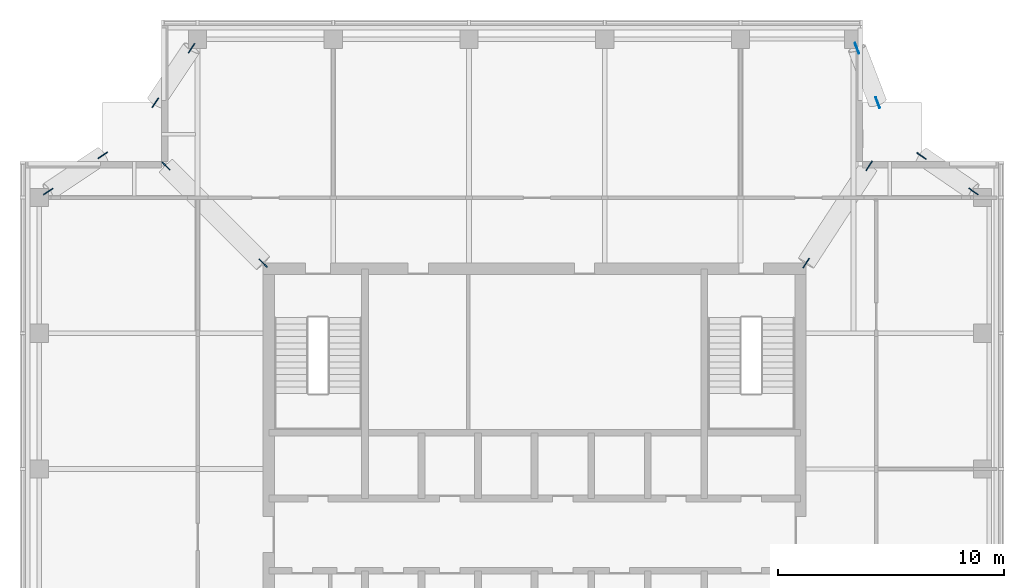
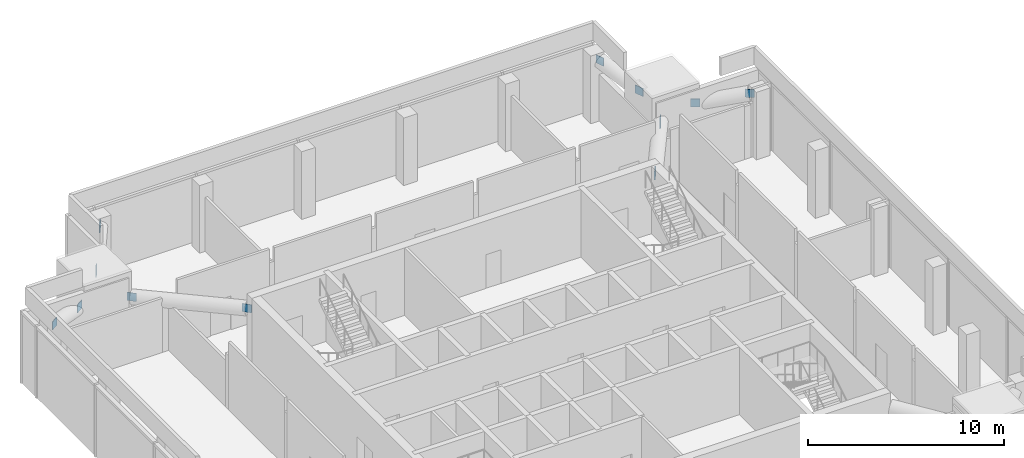
# One storey, part 9 of 11: 12 discrete accessories.
"""IFC4 building model written with IfcOpenShell, lengths in metres."""

import ifcopenshell
import ifcopenshell.guid

model = None  # the IFC model being written
_history = None  # IfcOwnerHistory: only IFC2X3 demands one
_inside = {}  # id of a spatial element -> (the spatial element, [elements in it])
_under = {}  # id of a project, library or spatial element -> (it, [spatial elements below it])
_declared = {}  # id of a project -> (the project, [libraries it declares])
_typed = {}  # id of a type object -> (the type object, [elements of that type])
_made_of = {}  # id of a material, layer set ... -> (it, [elements and type objects made of it])


def new_model(schema):
    """Start an empty IFC model of exactly this schema.

    Asked for "IFC4X3", IfcOpenShell would pick the latest addendum, in which some entities
    have other attributes; the version numbers below select the first issue.
    IFC2X3 requires an IfcOwnerHistory on every rooted entity: one is made here for all.
    """
    global model, _history
    if schema == "IFC4X3":
        model = ifcopenshell.file(schema_version=(4, 3, 0, 0))
    else:
        model = ifcopenshell.file(schema=schema)
    _inside.clear()
    _under.clear()
    _declared.clear()
    _typed.clear()
    _made_of.clear()
    _history = None
    if model.schema == "IFC2X3":
        org = make("IfcOrganization", Name="unknown")
        user = make(
            "IfcPersonAndOrganization",
            ThePerson=make("IfcPerson", FamilyName="unknown"),
            TheOrganization=org,
        )
        app = make(
            "IfcApplication",
            ApplicationDeveloper=org,
            Version="unknown",
            ApplicationFullName="unknown",
            ApplicationIdentifier="unknown",
        )
        _history = make(
            "IfcOwnerHistory",
            OwningUser=user,
            OwningApplication=app,
            ChangeAction="ADDED",
            CreationDate=0,
        )
    return model


def make(cls, **values):
    """One entity of the class cls with the attributes given. An attribute that is None is left unset."""
    return model.create_entity(
        cls, **{name: value for name, value in values.items() if value is not None}
    )


def rooted(cls, **values):
    """An entity with a GlobalId (a new one), such as an element, a storey or a relation."""
    return make(cls, GlobalId=ifcopenshell.guid.new(), OwnerHistory=_history, **values)


def si_unit(unit_type, name, prefix=None):
    """IfcSIUnit, for example si_unit("LENGTHUNIT", "METRE", prefix="MILLI")."""
    return make("IfcSIUnit", UnitType=unit_type, Prefix=prefix, Name=name)


def assignment(units):
    """IfcUnitAssignment: the units of a project."""
    return None if units is None else make("IfcUnitAssignment", Units=units)


def point(xyz):
    """IfcCartesianPoint."""
    return None if xyz is None else make("IfcCartesianPoint", Coordinates=xyz)


def direction(xyz):
    """IfcDirection."""
    return None if xyz is None else make("IfcDirection", DirectionRatios=xyz)


def frame(location, z_axis=None, x_axis=None):
    """IfcAxis2Placement3D, a coordinate frame: its origin and axes. An axis left out is left unset."""
    return make(
        "IfcAxis2Placement3D",
        Location=point(location),
        Axis=direction(z_axis),
        RefDirection=direction(x_axis),
    )


def frame_2d(location, x_axis=None):
    """IfcAxis2Placement2D, a coordinate frame in the plane: its origin and x axis."""
    return make(
        "IfcAxis2Placement2D", Location=point(location), RefDirection=direction(x_axis)
    )


def origin():
    """The frame at (0, 0, 0) with its axes left unset."""
    return frame((0.0, 0.0, 0.0))


def origin_2d():
    """The frame at (0, 0) in the plane with its x axis left unset."""
    return frame_2d((0.0, 0.0))


def place(relative_to, where):
    """IfcLocalPlacement: puts the frame where relative to a parent placement (None: the world)."""
    return make(
        "IfcLocalPlacement", PlacementRelTo=relative_to, RelativePlacement=where
    )


def context(
    kind, dimensions, precision=None, world=None, true_north=None, identifier=None
):
    """IfcGeometricRepresentationContext, for example the 3D "Model" context."""
    return make(
        "IfcGeometricRepresentationContext",
        ContextIdentifier=identifier,
        ContextType=kind,
        CoordinateSpaceDimension=dimensions,
        Precision=precision,
        WorldCoordinateSystem=world,
        TrueNorth=true_north,
    )


def subcontext(parent, identifier, kind, view, scale=None):
    """IfcGeometricRepresentationSubContext, for example "Body" below "Model"."""
    return make(
        "IfcGeometricRepresentationSubContext",
        ContextIdentifier=identifier,
        ContextType=kind,
        ParentContext=parent,
        TargetScale=scale,
        TargetView=view,
    )


def project(units=None, contexts=None):
    """IfcProject with its units and contexts."""
    return rooted(
        "IfcProject",
        Name="project",
        RepresentationContexts=contexts,
        UnitsInContext=assignment(units),
    )


def spatial(cls, under=None, at=None, **own):
    """A site, building, storey or space (cls), placed at a placement, below another one or the project."""
    s = rooted(cls, ObjectPlacement=at, **own)
    if under is not None:
        _under.setdefault(under.id(), (under, []))[1].append(s)
    return s


def profile(cls, at=None, kind="AREA", **sizes):
    """A parametric profile (cls). Its sizes go by their IFC names, for example OverallWidth=200.0."""
    return make(cls, ProfileType=kind, Position=at, **sizes)


def rectangle(**sizes):
    """IfcRectangleProfileDef."""
    return profile("IfcRectangleProfileDef", **sizes)


def extrude(swept, where, along, depth):
    """IfcExtrudedAreaSolid: the profile swept, set in the frame where, extruded along a direction by depth."""
    return make(
        "IfcExtrudedAreaSolid",
        SweptArea=swept,
        Position=where,
        ExtrudedDirection=direction(along),
        Depth=depth,
    )


def shape(context_of_items, identifier, shape_type, items):
    """IfcShapeRepresentation: the items that make up one representation, for example the "Body"."""
    return make(
        "IfcShapeRepresentation",
        ContextOfItems=context_of_items,
        RepresentationIdentifier=identifier,
        RepresentationType=shape_type,
        Items=items,
    )


def made_of(thing, what):
    """Note that an element or type object is made of a material, layer set ...; save() writes the relation."""
    if what is not None:
        _made_of.setdefault(what.id(), (what, []))[1].append(thing)
    return thing


def element(
    cls,
    number,
    at=None,
    inside=None,
    cuts=None,
    type_object=None,
    material=None,
    context=None,
    identifier="Body",
    shape_type=None,
    held_by="IfcProductDefinitionShape",
    body=None,
    shapes=None,
    **own,
):
    """One element of the class cls, such as IfcWall. Its Tag is "e" and its number.

    at: its placement. inside: the storey or other place that contains it. cuts: it is an
    opening in that element (IfcRelVoidsElement). A single representation is given by context,
    identifier, shape_type and body (its items); several are given by shapes. held_by: the class
    of the entity that holds the representations. save() writes the other relations.
    """
    e = rooted(cls, Tag="e%d" % number, ObjectPlacement=at, **own)
    if body is not None:
        shapes = [shape(context, identifier, shape_type, body)]
    if shapes is not None:
        e.Representation = make(held_by, Representations=shapes)
    if inside is not None:
        _inside.setdefault(inside.id(), (inside, []))[1].append(e)
    if cuts is not None:
        rooted(
            "IfcRelVoidsElement", RelatingBuildingElement=cuts, RelatedOpeningElement=e
        )
    if type_object is not None:
        _typed.setdefault(type_object.id(), (type_object, []))[1].append(e)
    return made_of(e, material)


def aggregate(whole, parts):
    """IfcRelAggregates: a whole, such as a stair, and the parts it consists of."""
    return rooted("IfcRelAggregates", RelatingObject=whole, RelatedObjects=parts)


def save(model, path):
    """Write the relations noted so far, then the file.

    IfcRelAggregates (storeys below a building ...), IfcRelContainedInSpatialStructure (elements
    in a storey), IfcRelDefinesByType, IfcRelAssociatesMaterial and IfcRelDeclares: one each for
    every whole, place, type object, material and project.
    """
    for whole, parts in _under.values():
        aggregate(whole, parts)
    for where, things in _inside.values():
        rooted(
            "IfcRelContainedInSpatialStructure",
            RelatedElements=things,
            RelatingStructure=where,
        )
    for kind, things in _typed.values():
        rooted("IfcRelDefinesByType", RelatedObjects=things, RelatingType=kind)
    for what, things in _made_of.values():
        rooted("IfcRelAssociatesMaterial", RelatedObjects=things, RelatingMaterial=what)
    for by, libraries in _declared.values():
        rooted("IfcRelDeclares", RelatingContext=by, RelatedDefinitions=libraries)
    model.write(path)


model = new_model("IFC4")

# Units and contexts
model_context = context("Model", 3, precision=1e-05, world=origin(), true_north=direction((0.0, 1.0)))
body_context = subcontext(model_context, "Body", "Model", "MODEL_VIEW")
ifc_project = project(units=[si_unit("LENGTHUNIT", "METRE"), si_unit("AREAUNIT", "SQUARE_METRE"), si_unit("VOLUMEUNIT", "CUBIC_METRE"), si_unit("PLANEANGLEUNIT", "RADIAN"), si_unit("MASSUNIT", "GRAM", prefix="KILO")], contexts=[model_context])

# Site, building, storey
site_placement = place(None, origin())
site = spatial("IfcSite", under=ifc_project, at=site_placement, CompositionType="ELEMENT")
building_placement = place(site_placement, origin())
building = spatial("IfcBuilding", under=site, at=building_placement, Name="Amberfall Residences", CompositionType="ELEMENT")
storey_placement = place(building_placement, frame((0.0, 0.0, 286.300048828125)))
storey = spatial("IfcBuildingStorey", under=building, at=storey_placement, Name="L77 Crown", CompositionType="ELEMENT", Elevation=286.300048828125)

# Discrete accessories
for number, where, z_axis, x_axis, name in (
    (1, (89.666748046875, 64.60009765625, 2.75), (0.0, 0.0, 1.0), (-0.35600416689, 0.93448436753, 0.0), "Connection plate L77 Crown"),
    (2, (88.75244140625, 67.0, 3.49267578125), (0.0, 0.0, 1.0), (-0.35600416689, 0.93448436753, 0.0), "Connection plate L77 Crown"),
    (3, (91.60009765625, 62.243896484375, 2.75), (0.0, 0.0, 1.0), (0.82580311972, -0.563958515726, 0.0), "Connection plate L77 Crown"),
    (4, (93.89990234375, 60.673095703125, 3.49267578125), (0.0, 0.0, 1.0), (0.82580311972, -0.563958515726, 0.0), "Connection plate L77 Crown"),
    (5, (57.7333984375, 64.60009765625, 2.75), (0.0, 0.0, 1.0), (0.554699215611, 0.83205094808, 0.0), "Connection plate L77 Crown"),
    (6, (59.333251953125, 67.0, 3.49267578125), (0.0, 0.0, 1.0), (0.554699215611, 0.83205094808, 0.0), "Connection plate L77 Crown"),
    (7, (55.39990234375, 62.2666015625, 2.75), (0.0, 0.0, 1.0), (-0.83205094808, -0.554699215611, 0.0), "Connection plate L77 Crown"),
    (8, (53.0, 60.666748046875, 3.49267578125), (0.0, 0.0, 1.0), (-0.83205094808, -0.554699215611, 0.0), "Connection plate L77 Crown"),
    (9, (89.291259765625, 61.800048828125, 2.64990234375), (0.0, 0.0, 1.0), (-0.544478011788, -0.838775115677, 0.0), "Connection plate L77 Crown"),
    (10, (86.5, 57.5, 3.050048828125), (0.0, 0.0, 1.0), (-0.544478011788, -0.838775115677, 0.0), "Connection plate L77 Crown"),
    (11, (58.199951171875, 61.800048828125, 2.64990234375), (0.0, 0.0, 1.0), (0.707106781187, -0.707106781187, 0.0), "Connection plate L77 Crown"),
    (12, (62.5, 57.5, 3.050048828125), (0.0, 0.0, 1.0), (0.707106781187, -0.707106781187, 0.0), "Connection plate L77 Crown"),
):
    element("IfcDiscreteAccessory", number, at=place(storey_placement, frame(where, z_axis=z_axis, x_axis=x_axis)), inside=storey, Name=name, PredefinedType="BRACKET", context=body_context, shape_type="SweptSolid", body=[
        extrude(rectangle(XDim=0.5, YDim=0.0400390625, at=origin_2d()), origin(), (0.0, 0.0, 1.0), 0.5),
    ])

save(model, "model.ifc")
